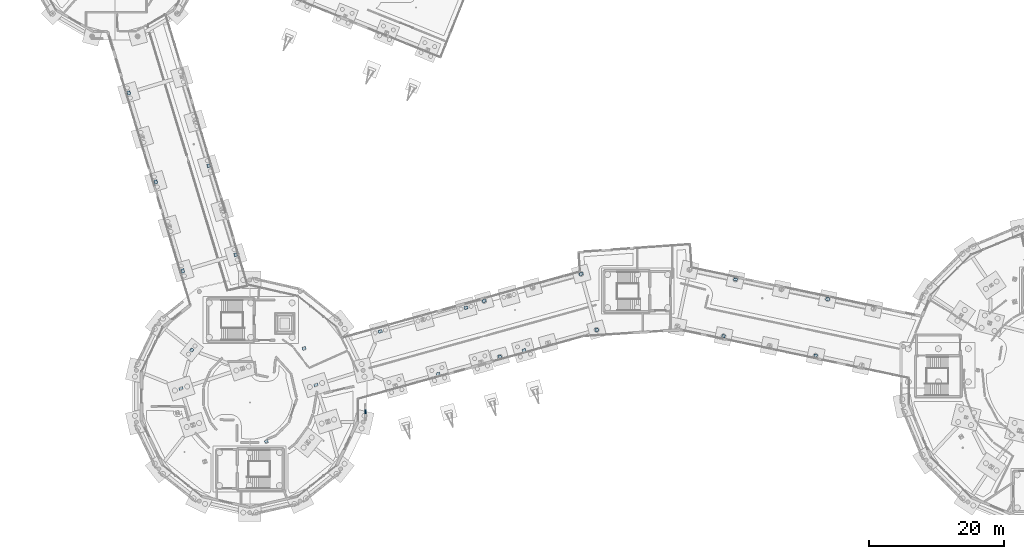
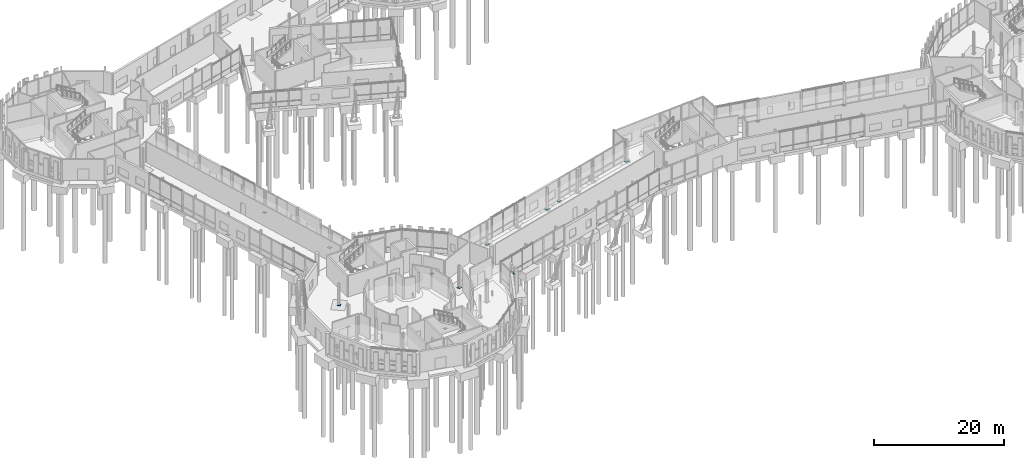
# One storey, part 75 of 113: 23 plates.
"""IFC4 building model written with IfcOpenShell, lengths in metres."""

import ifcopenshell
import ifcopenshell.guid

model = None  # the IFC model being written
_history = None  # IfcOwnerHistory: only IFC2X3 demands one
_inside = {}  # id of a spatial element -> (the spatial element, [elements in it])
_under = {}  # id of a project, library or spatial element -> (it, [spatial elements below it])
_declared = {}  # id of a project -> (the project, [libraries it declares])
_typed = {}  # id of a type object -> (the type object, [elements of that type])
_made_of = {}  # id of a material, layer set ... -> (it, [elements and type objects made of it])


def new_model(schema):
    """Start an empty IFC model of exactly this schema.

    Asked for "IFC4X3", IfcOpenShell would pick the latest addendum, in which some entities
    have other attributes; the version numbers below select the first issue.
    IFC2X3 requires an IfcOwnerHistory on every rooted entity: one is made here for all.
    """
    global model, _history
    if schema == "IFC4X3":
        model = ifcopenshell.file(schema_version=(4, 3, 0, 0))
    else:
        model = ifcopenshell.file(schema=schema)
    _inside.clear()
    _under.clear()
    _declared.clear()
    _typed.clear()
    _made_of.clear()
    _history = None
    if model.schema == "IFC2X3":
        org = make("IfcOrganization", Name="unknown")
        user = make(
            "IfcPersonAndOrganization",
            ThePerson=make("IfcPerson", FamilyName="unknown"),
            TheOrganization=org,
        )
        app = make(
            "IfcApplication",
            ApplicationDeveloper=org,
            Version="unknown",
            ApplicationFullName="unknown",
            ApplicationIdentifier="unknown",
        )
        _history = make(
            "IfcOwnerHistory",
            OwningUser=user,
            OwningApplication=app,
            ChangeAction="ADDED",
            CreationDate=0,
        )
    return model


def make(cls, **values):
    """One entity of the class cls with the attributes given. An attribute that is None is left unset."""
    return model.create_entity(
        cls, **{name: value for name, value in values.items() if value is not None}
    )


def rooted(cls, **values):
    """An entity with a GlobalId (a new one), such as an element, a storey or a relation."""
    return make(cls, GlobalId=ifcopenshell.guid.new(), OwnerHistory=_history, **values)


def si_unit(unit_type, name, prefix=None):
    """IfcSIUnit, for example si_unit("LENGTHUNIT", "METRE", prefix="MILLI")."""
    return make("IfcSIUnit", UnitType=unit_type, Prefix=prefix, Name=name)


def assignment(units):
    """IfcUnitAssignment: the units of a project."""
    return None if units is None else make("IfcUnitAssignment", Units=units)


def point(xyz):
    """IfcCartesianPoint."""
    return None if xyz is None else make("IfcCartesianPoint", Coordinates=xyz)


def direction(xyz):
    """IfcDirection."""
    return None if xyz is None else make("IfcDirection", DirectionRatios=xyz)


def frame(location, z_axis=None, x_axis=None):
    """IfcAxis2Placement3D, a coordinate frame: its origin and axes. An axis left out is left unset."""
    return make(
        "IfcAxis2Placement3D",
        Location=point(location),
        Axis=direction(z_axis),
        RefDirection=direction(x_axis),
    )


def frame_2d(location, x_axis=None):
    """IfcAxis2Placement2D, a coordinate frame in the plane: its origin and x axis."""
    return make(
        "IfcAxis2Placement2D", Location=point(location), RefDirection=direction(x_axis)
    )


def origin():
    """The frame at (0, 0, 0) with its axes left unset."""
    return frame((0.0, 0.0, 0.0))


def origin_2d():
    """The frame at (0, 0) in the plane with its x axis left unset."""
    return frame_2d((0.0, 0.0))


def place(relative_to, where):
    """IfcLocalPlacement: puts the frame where relative to a parent placement (None: the world)."""
    return make(
        "IfcLocalPlacement", PlacementRelTo=relative_to, RelativePlacement=where
    )


def context(
    kind, dimensions, precision=None, world=None, true_north=None, identifier=None
):
    """IfcGeometricRepresentationContext, for example the 3D "Model" context."""
    return make(
        "IfcGeometricRepresentationContext",
        ContextIdentifier=identifier,
        ContextType=kind,
        CoordinateSpaceDimension=dimensions,
        Precision=precision,
        WorldCoordinateSystem=world,
        TrueNorth=true_north,
    )


def subcontext(parent, identifier, kind, view, scale=None):
    """IfcGeometricRepresentationSubContext, for example "Body" below "Model"."""
    return make(
        "IfcGeometricRepresentationSubContext",
        ContextIdentifier=identifier,
        ContextType=kind,
        ParentContext=parent,
        TargetScale=scale,
        TargetView=view,
    )


def project(units=None, contexts=None):
    """IfcProject with its units and contexts."""
    return rooted(
        "IfcProject",
        Name="project",
        RepresentationContexts=contexts,
        UnitsInContext=assignment(units),
    )


def spatial(cls, under=None, at=None, **own):
    """A site, building, storey or space (cls), placed at a placement, below another one or the project."""
    s = rooted(cls, ObjectPlacement=at, **own)
    if under is not None:
        _under.setdefault(under.id(), (under, []))[1].append(s)
    return s


def profile(cls, at=None, kind="AREA", **sizes):
    """A parametric profile (cls). Its sizes go by their IFC names, for example OverallWidth=200.0."""
    return make(cls, ProfileType=kind, Position=at, **sizes)


def rectangle(**sizes):
    """IfcRectangleProfileDef."""
    return profile("IfcRectangleProfileDef", **sizes)


def extrude(swept, where, along, depth):
    """IfcExtrudedAreaSolid: the profile swept, set in the frame where, extruded along a direction by depth."""
    return make(
        "IfcExtrudedAreaSolid",
        SweptArea=swept,
        Position=where,
        ExtrudedDirection=direction(along),
        Depth=depth,
    )


def shape(context_of_items, identifier, shape_type, items):
    """IfcShapeRepresentation: the items that make up one representation, for example the "Body"."""
    return make(
        "IfcShapeRepresentation",
        ContextOfItems=context_of_items,
        RepresentationIdentifier=identifier,
        RepresentationType=shape_type,
        Items=items,
    )


def material(Name=None, Category=None):
    """IfcMaterial."""
    return make("IfcMaterial", Name=Name, Category=Category)


def layer(
    of_material, thickness, ventilated=None, Name=None, Category=None, Priority=None
):
    """IfcMaterialLayer: one layer of a wall or slab, of a material (None: an air gap)."""
    return make(
        "IfcMaterialLayer",
        Material=of_material,
        LayerThickness=thickness,
        IsVentilated=ventilated,
        Name=Name,
        Category=Category,
        Priority=Priority,
    )


def layer_set(layers, Name=None):
    """IfcMaterialLayerSet."""
    return make("IfcMaterialLayerSet", MaterialLayers=layers, LayerSetName=Name)


def made_of(thing, what):
    """Note that an element or type object is made of a material, layer set ...; save() writes the relation."""
    if what is not None:
        _made_of.setdefault(what.id(), (what, []))[1].append(thing)
    return thing


def type_object(cls, material=None, **own):
    """A type object (cls), such as IfcWallType, which elements share."""
    return made_of(rooted(cls, **own), material)


def element(
    cls,
    number,
    at=None,
    inside=None,
    cuts=None,
    type_object=None,
    material=None,
    context=None,
    identifier="Body",
    shape_type=None,
    held_by="IfcProductDefinitionShape",
    body=None,
    shapes=None,
    **own,
):
    """One element of the class cls, such as IfcWall. Its Tag is "e" and its number.

    at: its placement. inside: the storey or other place that contains it. cuts: it is an
    opening in that element (IfcRelVoidsElement). A single representation is given by context,
    identifier, shape_type and body (its items); several are given by shapes. held_by: the class
    of the entity that holds the representations. save() writes the other relations.
    """
    e = rooted(cls, Tag="e%d" % number, ObjectPlacement=at, **own)
    if body is not None:
        shapes = [shape(context, identifier, shape_type, body)]
    if shapes is not None:
        e.Representation = make(held_by, Representations=shapes)
    if inside is not None:
        _inside.setdefault(inside.id(), (inside, []))[1].append(e)
    if cuts is not None:
        rooted(
            "IfcRelVoidsElement", RelatingBuildingElement=cuts, RelatedOpeningElement=e
        )
    if type_object is not None:
        _typed.setdefault(type_object.id(), (type_object, []))[1].append(e)
    return made_of(e, material)


def aggregate(whole, parts):
    """IfcRelAggregates: a whole, such as a stair, and the parts it consists of."""
    return rooted("IfcRelAggregates", RelatingObject=whole, RelatedObjects=parts)


def save(model, path):
    """Write the relations noted so far, then the file.

    IfcRelAggregates (storeys below a building ...), IfcRelContainedInSpatialStructure (elements
    in a storey), IfcRelDefinesByType, IfcRelAssociatesMaterial and IfcRelDeclares: one each for
    every whole, place, type object, material and project.
    """
    for whole, parts in _under.values():
        aggregate(whole, parts)
    for where, things in _inside.values():
        rooted(
            "IfcRelContainedInSpatialStructure",
            RelatedElements=things,
            RelatingStructure=where,
        )
    for kind, things in _typed.values():
        rooted("IfcRelDefinesByType", RelatedObjects=things, RelatingType=kind)
    for what, things in _made_of.values():
        rooted("IfcRelAssociatesMaterial", RelatedObjects=things, RelatingMaterial=what)
    for by, libraries in _declared.values():
        rooted("IfcRelDeclares", RelatingContext=by, RelatedDefinitions=libraries)
    model.write(path)


model = new_model("IFC4")

# Units and contexts
model_context = context("Model", 3, precision=1e-05, world=origin(), true_north=direction((0.0, 1.0)))
body_context = subcontext(model_context, "Body", "Model", "MODEL_VIEW")
ifc_project = project(units=[si_unit("LENGTHUNIT", "METRE"), si_unit("AREAUNIT", "SQUARE_METRE"), si_unit("VOLUMEUNIT", "CUBIC_METRE"), si_unit("PLANEANGLEUNIT", "RADIAN"), si_unit("MASSUNIT", "GRAM", prefix="KILO")], contexts=[model_context])

# Site, building, storey
site_placement = place(None, origin())
site = spatial("IfcSite", under=ifc_project, at=site_placement, CompositionType="ELEMENT")
building_placement = place(site_placement, origin())
building = spatial("IfcBuilding", under=site, at=building_placement, Name="Wrenclough Park School", CompositionType="ELEMENT")
storey_placement = place(building_placement, origin())
storey = spatial("IfcBuildingStorey", under=building, at=storey_placement, Name="L00", CompositionType="ELEMENT", Elevation=0.0)

# Plates
ifc_material_1 = material(Name="Anodised architectural aluminium solar shading fin plate", Category="aluminium")
ifc_layer_1 = layer(ifc_material_1, 0.0380859375)
ifc_layer_set_1 = layer_set([ifc_layer_1], Name="Anodised architectural aluminium solar shading fin plate")
plate_type_1 = type_object("IfcPlateType", Name="ENV-PL-BSF", PredefinedType="SHEET", material=ifc_layer_set_1)
plate_placement = place(storey_placement, frame((53.673583984375, 21.195556640625, 2.4951171875), z_axis=(0.0, 0.0, 1.0), x_axis=(0.0, 1.0, 0.0)))
element("IfcPlate", 1, at=plate_placement, inside=storey, type_object=plate_type_1, Name="D2 L00 open-bond brick screen tie band 0063", PredefinedType="SHEET", context=body_context, shape_type="SweptSolid", body=[
    extrude(rectangle(XDim=0.756591796875, YDim=0.219970703125, at=origin_2d()), origin(), (0.0, 0.0, 1.0), 0.0419921875),
])
ifc_material_2 = material(Name="Structural steel S355", Category="steel")
ifc_layer_2 = layer(ifc_material_2, 0.028076171875)
ifc_layer_set_2 = layer_set([ifc_layer_2], Name="Structural steel S355")
plate_type_2 = type_object("IfcPlateType", Name="STR-PL-BP2", PredefinedType="SHEET", material=ifc_layer_set_2)
for number, where, z_axis, x_axis, name in (
    (2, (26.30859375, 24.654541015625, 0.0), (0.0, 0.0, 1.0), (0.951056516295, 0.309016994375, 0.0), "Steel column baseplate D2HR-0-2"),
    (3, (46.330078125, 25.16650390625, 0.0), (0.0, 0.0, 1.0), (0.951056516295, 0.309016994375, 0.0), "Steel column baseplate D2HR-2-1"),
    (4, (55.8662109375, 33.1201171875, 0.0), (0.0, 0.0, 1.0), (0.964002648928, 0.265892634084, 0.0), "Steel column baseplate EAVE-ENTRANCE-B1"),
    (5, (68.591064453125, 36.6298828125, 0.0), (0.0, 0.0, 1.0), (0.964002648928, 0.265892634084, 0.0), "Steel column baseplate EAVE-ENTRANCE-B3"),
    (6, (71.284912109375, 37.642578125, 0.0), (0.0, 0.0, 1.0), (0.963396876837, 0.268079200424, 0.0), "Steel column baseplate W12-C1-L05"),
    (7, (85.659912109375, 41.642578125, 0.0), (0.0, 0.0, 1.0), (0.963396876837, 0.268079200424, 0.0), "Steel column baseplate W12-C1-L07"),
    (8, (108.555908203125, 40.818115234375, 0.0), (0.0, 0.0, 1.0), (0.978364788978, -0.206887263232, 0.0), "Steel column baseplate W12-C2-L02"),
    (9, (122.22265625, 37.92919921875, 0.0), (0.0, 0.0, 1.0), (0.978364788978, -0.206887263232, 0.0), "Steel column baseplate W12-C2-L04"),
    (10, (26.576171875, 42.111083984375, 0.0), (0.0, 0.0, 1.0), (-0.290034140915, 0.957016299288, 0.0), "Steel column baseplate W23-C1-L03"),
    (11, (22.576171875, 55.31103515625, 0.0), (0.0, 0.0, 1.0), (-0.290034140915, 0.957016299288, 0.0), "Steel column baseplate W23-C1-L05"),
    (12, (18.576171875, 68.510986328125, 0.0), (0.0, 0.0, 1.0), (-0.290034140915, 0.957016299288, 0.0), "Steel column baseplate W23-C1-L07"),
):
    element("IfcPlate", number, at=place(storey_placement, frame(where, z_axis=z_axis, x_axis=x_axis)), inside=storey, type_object=plate_type_2, Name=name, PredefinedType="SHEET", context=body_context, shape_type="SweptSolid", body=[
        extrude(rectangle(XDim=0.550048828125, YDim=0.449951171875, at=origin_2d()), origin(), (0.0, 0.0, 1.0), 0.028076171875),
    ])
ifc_layer_3 = layer(ifc_material_2, 0.02587890625)
ifc_layer_set_3 = layer_set([ifc_layer_3], Name="Structural steel S355")
plate_type_3 = type_object("IfcPlateType", Name="STR-PL-BP3", PredefinedType="SHEET", material=ifc_layer_set_3)
for number, where, z_axis, x_axis, name in (
    (13, (38.96142578125, 16.779052734375, 0.0), (0.0, 0.0, 1.0), (0.951056516295, 0.309016994375, 0.0), "Steel column baseplate D2HR-1-0"),
    (14, (44.568603515625, 30.587646484375, 0.0), (0.0, 0.0, 1.0), (0.951056516295, 0.309016994375, 0.0), "Steel column baseplate D2HR-2-2"),
    (15, (64.462158203125, 26.77734375, 0.0), (0.0, 0.0, 1.0), (0.964002648928, 0.265892634084, 0.0), "Steel column baseplate EAVE-ENTRANCE-F2"),
    (16, (77.18701171875, 30.287109375, 0.0), (0.0, 0.0, 1.0), (0.964002648928, 0.265892634084, 0.0), "Steel column baseplate EAVE-ENTRANCE-F4"),
    (17, (27.89990234375, 30.3583984375, 0.0), (0.0, 0.0, 1.0), (-0.623470308046, -0.781847027868, 0.0), "Steel column baseplate D2-MID-06"),
    (18, (73.590087890625, 29.357421875, 0.0), (0.0, 0.0, 1.0), (0.963396876837, 0.268079200424, 0.0), "Steel column baseplate W12-C1-R05"),
    (19, (87.965087890625, 33.357421875, 0.0), (0.0, 0.0, 1.0), (0.963396876837, 0.268079200424, 0.0), "Steel column baseplate W12-C1-R07"),
    (20, (106.77734375, 32.404052734375, 0.0), (0.0, 0.0, 1.0), (0.978364788978, -0.206887263232, 0.0), "Steel column baseplate W12-C2-R02"),
    (21, (120.444091796875, 29.51513671875, 0.0), (0.0, 0.0, 1.0), (0.978364788978, -0.206887263232, 0.0), "Steel column baseplate W12-C2-R04"),
    (22, (34.423828125, 44.489013671875, 0.0), (0.0, 0.0, 1.0), (-0.290034140915, 0.957016299288, 0.0), "Steel column baseplate W23-C1-R03"),
    (23, (30.423828125, 57.68896484375, 0.0), (0.0, 0.0, 1.0), (-0.290034140915, 0.957016299288, 0.0), "Steel column baseplate W23-C1-R05"),
):
    element("IfcPlate", number, at=place(storey_placement, frame(where, z_axis=z_axis, x_axis=x_axis)), inside=storey, type_object=plate_type_3, Name=name, PredefinedType="SHEET", context=body_context, shape_type="SweptSolid", body=[
        extrude(rectangle(XDim=0.5, YDim=0.5, at=origin_2d()), origin(), (0.0, 0.0, 1.0), 0.02587890625),
    ])

save(model, "model.ifc")
